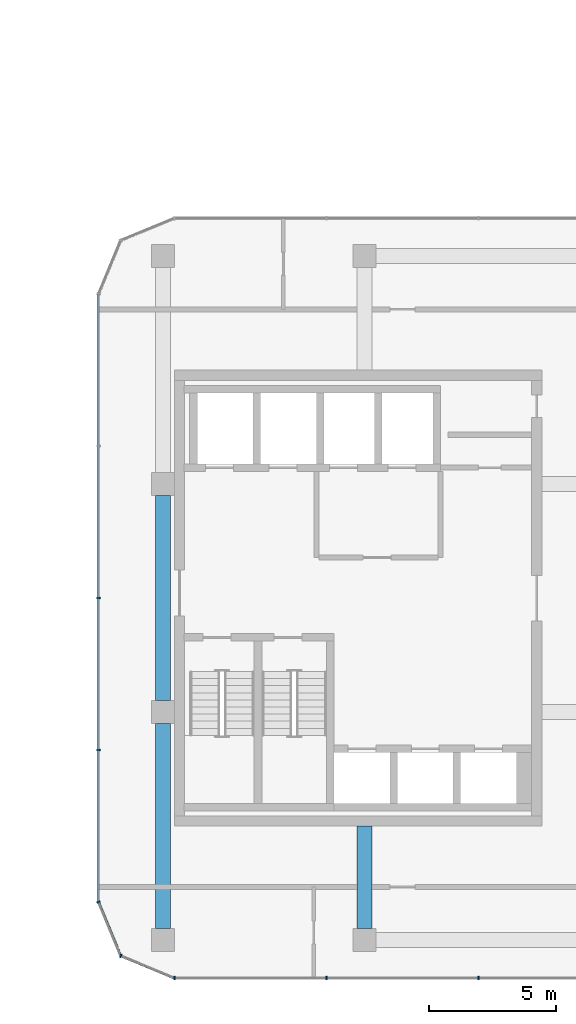
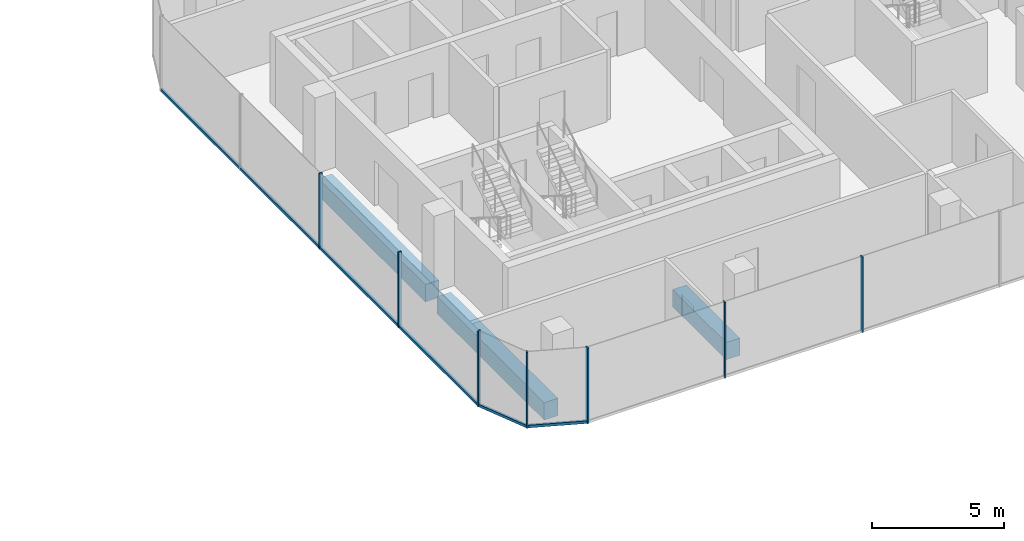
# One storey, part 7 of 22: 10 members, 3 beams, 4 elements without a shape of their own.
"""IFC4 building model written with IfcOpenShell, lengths in metres."""

import ifcopenshell
import ifcopenshell.guid

model = None  # the IFC model being written
_history = None  # IfcOwnerHistory: only IFC2X3 demands one
_inside = {}  # id of a spatial element -> (the spatial element, [elements in it])
_under = {}  # id of a project, library or spatial element -> (it, [spatial elements below it])
_declared = {}  # id of a project -> (the project, [libraries it declares])
_typed = {}  # id of a type object -> (the type object, [elements of that type])
_made_of = {}  # id of a material, layer set ... -> (it, [elements and type objects made of it])


def new_model(schema):
    """Start an empty IFC model of exactly this schema.

    Asked for "IFC4X3", IfcOpenShell would pick the latest addendum, in which some entities
    have other attributes; the version numbers below select the first issue.
    IFC2X3 requires an IfcOwnerHistory on every rooted entity: one is made here for all.
    """
    global model, _history
    if schema == "IFC4X3":
        model = ifcopenshell.file(schema_version=(4, 3, 0, 0))
    else:
        model = ifcopenshell.file(schema=schema)
    _inside.clear()
    _under.clear()
    _declared.clear()
    _typed.clear()
    _made_of.clear()
    _history = None
    if model.schema == "IFC2X3":
        org = make("IfcOrganization", Name="unknown")
        user = make(
            "IfcPersonAndOrganization",
            ThePerson=make("IfcPerson", FamilyName="unknown"),
            TheOrganization=org,
        )
        app = make(
            "IfcApplication",
            ApplicationDeveloper=org,
            Version="unknown",
            ApplicationFullName="unknown",
            ApplicationIdentifier="unknown",
        )
        _history = make(
            "IfcOwnerHistory",
            OwningUser=user,
            OwningApplication=app,
            ChangeAction="ADDED",
            CreationDate=0,
        )
    return model


def make(cls, **values):
    """One entity of the class cls with the attributes given. An attribute that is None is left unset."""
    return model.create_entity(
        cls, **{name: value for name, value in values.items() if value is not None}
    )


def rooted(cls, **values):
    """An entity with a GlobalId (a new one), such as an element, a storey or a relation."""
    return make(cls, GlobalId=ifcopenshell.guid.new(), OwnerHistory=_history, **values)


def si_unit(unit_type, name, prefix=None):
    """IfcSIUnit, for example si_unit("LENGTHUNIT", "METRE", prefix="MILLI")."""
    return make("IfcSIUnit", UnitType=unit_type, Prefix=prefix, Name=name)


def assignment(units):
    """IfcUnitAssignment: the units of a project."""
    return None if units is None else make("IfcUnitAssignment", Units=units)


def point(xyz):
    """IfcCartesianPoint."""
    return None if xyz is None else make("IfcCartesianPoint", Coordinates=xyz)


def direction(xyz):
    """IfcDirection."""
    return None if xyz is None else make("IfcDirection", DirectionRatios=xyz)


def frame(location, z_axis=None, x_axis=None):
    """IfcAxis2Placement3D, a coordinate frame: its origin and axes. An axis left out is left unset."""
    return make(
        "IfcAxis2Placement3D",
        Location=point(location),
        Axis=direction(z_axis),
        RefDirection=direction(x_axis),
    )


def frame_2d(location, x_axis=None):
    """IfcAxis2Placement2D, a coordinate frame in the plane: its origin and x axis."""
    return make(
        "IfcAxis2Placement2D", Location=point(location), RefDirection=direction(x_axis)
    )


def origin():
    """The frame at (0, 0, 0) with its axes left unset."""
    return frame((0.0, 0.0, 0.0))


def origin_2d():
    """The frame at (0, 0) in the plane with its x axis left unset."""
    return frame_2d((0.0, 0.0))


def place(relative_to, where):
    """IfcLocalPlacement: puts the frame where relative to a parent placement (None: the world)."""
    return make(
        "IfcLocalPlacement", PlacementRelTo=relative_to, RelativePlacement=where
    )


def context(
    kind, dimensions, precision=None, world=None, true_north=None, identifier=None
):
    """IfcGeometricRepresentationContext, for example the 3D "Model" context."""
    return make(
        "IfcGeometricRepresentationContext",
        ContextIdentifier=identifier,
        ContextType=kind,
        CoordinateSpaceDimension=dimensions,
        Precision=precision,
        WorldCoordinateSystem=world,
        TrueNorth=true_north,
    )


def subcontext(parent, identifier, kind, view, scale=None):
    """IfcGeometricRepresentationSubContext, for example "Body" below "Model"."""
    return make(
        "IfcGeometricRepresentationSubContext",
        ContextIdentifier=identifier,
        ContextType=kind,
        ParentContext=parent,
        TargetScale=scale,
        TargetView=view,
    )


def project(units=None, contexts=None):
    """IfcProject with its units and contexts."""
    return rooted(
        "IfcProject",
        Name="project",
        RepresentationContexts=contexts,
        UnitsInContext=assignment(units),
    )


def spatial(cls, under=None, at=None, **own):
    """A site, building, storey or space (cls), placed at a placement, below another one or the project."""
    s = rooted(cls, ObjectPlacement=at, **own)
    if under is not None:
        _under.setdefault(under.id(), (under, []))[1].append(s)
    return s


def profile(cls, at=None, kind="AREA", **sizes):
    """A parametric profile (cls). Its sizes go by their IFC names, for example OverallWidth=200.0."""
    return make(cls, ProfileType=kind, Position=at, **sizes)


def rectangle(**sizes):
    """IfcRectangleProfileDef."""
    return profile("IfcRectangleProfileDef", **sizes)


def extrude(swept, where, along, depth):
    """IfcExtrudedAreaSolid: the profile swept, set in the frame where, extruded along a direction by depth."""
    return make(
        "IfcExtrudedAreaSolid",
        SweptArea=swept,
        Position=where,
        ExtrudedDirection=direction(along),
        Depth=depth,
    )


def shape(context_of_items, identifier, shape_type, items):
    """IfcShapeRepresentation: the items that make up one representation, for example the "Body"."""
    return make(
        "IfcShapeRepresentation",
        ContextOfItems=context_of_items,
        RepresentationIdentifier=identifier,
        RepresentationType=shape_type,
        Items=items,
    )


def material(Name=None, Category=None):
    """IfcMaterial."""
    return make("IfcMaterial", Name=Name, Category=Category)


def layer(
    of_material, thickness, ventilated=None, Name=None, Category=None, Priority=None
):
    """IfcMaterialLayer: one layer of a wall or slab, of a material (None: an air gap)."""
    return make(
        "IfcMaterialLayer",
        Material=of_material,
        LayerThickness=thickness,
        IsVentilated=ventilated,
        Name=Name,
        Category=Category,
        Priority=Priority,
    )


def layer_set(layers, Name=None):
    """IfcMaterialLayerSet."""
    return make("IfcMaterialLayerSet", MaterialLayers=layers, LayerSetName=Name)


def material_profile(
    of_material, cross_section, Name=None, Category=None, Priority=None
):
    """IfcMaterialProfile: a cross section and its material."""
    return make(
        "IfcMaterialProfile",
        Name=Name,
        Material=of_material,
        Profile=cross_section,
        Priority=Priority,
        Category=Category,
    )


def profile_set(profiles, Name=None, composite=None):
    """IfcMaterialProfileSet."""
    return make(
        "IfcMaterialProfileSet",
        Name=Name,
        MaterialProfiles=profiles,
        CompositeProfile=composite,
    )


def made_of(thing, what):
    """Note that an element or type object is made of a material, layer set ...; save() writes the relation."""
    if what is not None:
        _made_of.setdefault(what.id(), (what, []))[1].append(thing)
    return thing


def type_object(cls, material=None, **own):
    """A type object (cls), such as IfcWallType, which elements share."""
    return made_of(rooted(cls, **own), material)


def element(
    cls,
    number,
    at=None,
    inside=None,
    cuts=None,
    type_object=None,
    material=None,
    context=None,
    identifier="Body",
    shape_type=None,
    held_by="IfcProductDefinitionShape",
    body=None,
    shapes=None,
    **own,
):
    """One element of the class cls, such as IfcWall. Its Tag is "e" and its number.

    at: its placement. inside: the storey or other place that contains it. cuts: it is an
    opening in that element (IfcRelVoidsElement). A single representation is given by context,
    identifier, shape_type and body (its items); several are given by shapes. held_by: the class
    of the entity that holds the representations. save() writes the other relations.
    """
    e = rooted(cls, Tag="e%d" % number, ObjectPlacement=at, **own)
    if body is not None:
        shapes = [shape(context, identifier, shape_type, body)]
    if shapes is not None:
        e.Representation = make(held_by, Representations=shapes)
    if inside is not None:
        _inside.setdefault(inside.id(), (inside, []))[1].append(e)
    if cuts is not None:
        rooted(
            "IfcRelVoidsElement", RelatingBuildingElement=cuts, RelatedOpeningElement=e
        )
    if type_object is not None:
        _typed.setdefault(type_object.id(), (type_object, []))[1].append(e)
    return made_of(e, material)


def aggregate(whole, parts):
    """IfcRelAggregates: a whole, such as a stair, and the parts it consists of."""
    return rooted("IfcRelAggregates", RelatingObject=whole, RelatedObjects=parts)


def save(model, path):
    """Write the relations noted so far, then the file.

    IfcRelAggregates (storeys below a building ...), IfcRelContainedInSpatialStructure (elements
    in a storey), IfcRelDefinesByType, IfcRelAssociatesMaterial and IfcRelDeclares: one each for
    every whole, place, type object, material and project.
    """
    for whole, parts in _under.values():
        aggregate(whole, parts)
    for where, things in _inside.values():
        rooted(
            "IfcRelContainedInSpatialStructure",
            RelatedElements=things,
            RelatingStructure=where,
        )
    for kind, things in _typed.values():
        rooted("IfcRelDefinesByType", RelatedObjects=things, RelatingType=kind)
    for what, things in _made_of.values():
        rooted("IfcRelAssociatesMaterial", RelatedObjects=things, RelatingMaterial=what)
    for by, libraries in _declared.values():
        rooted("IfcRelDeclares", RelatingContext=by, RelatedDefinitions=libraries)
    model.write(path)


model = new_model("IFC4")

# Units and contexts
model_context = context("Model", 3, precision=1e-05, world=origin(), true_north=direction((0.0, 1.0)))
body_context = subcontext(model_context, "Body", "Model", "MODEL_VIEW")
ifc_project = project(units=[si_unit("LENGTHUNIT", "METRE"), si_unit("AREAUNIT", "SQUARE_METRE"), si_unit("VOLUMEUNIT", "CUBIC_METRE"), si_unit("PLANEANGLEUNIT", "RADIAN"), si_unit("MASSUNIT", "GRAM", prefix="KILO")], contexts=[model_context])

# Site, building, storey
site_placement = place(None, origin())
site = spatial("IfcSite", under=ifc_project, at=site_placement, CompositionType="ELEMENT")
building_placement = place(site_placement, origin())
building = spatial("IfcBuilding", under=site, at=building_placement, Name="Plateau Cross Towers", CompositionType="ELEMENT")
storey_placement = place(building_placement, frame((0.0, 0.0, 109.800048828125)))
storey = spatial("IfcBuildingStorey", under=building, at=storey_placement, Name="L28", CompositionType="ELEMENT", Elevation=109.800048828125)

# Beam
ifc_material_1 = material(Name="Concrete C60/75", Category="concrete")
ifc_material_profile_1 = material_profile(ifc_material_1, rectangle(XDim=0.60009765625, YDim=0.800048828125, at=origin_2d()), Name="RC 600x800")
ifc_profile_set_1 = profile_set([ifc_material_profile_1], Name="Concrete C60/75")
beam_type_1 = type_object("IfcBeamType", Name="Core beam RC 600x800", PredefinedType="BEAM", material=ifc_profile_set_1)
beam_placement = place(storey_placement, frame((82.5, 0.0, -0.650146484375), z_axis=(0.0, -1.0, 0.0), x_axis=(1.0, 0.0, 0.0)))
element("IfcBeam", 1, at=beam_placement, inside=storey, type_object=beam_type_1, Name="B-CB01@L28", PredefinedType="BEAM", context=body_context, shape_type="SweptSolid", body=[
    extrude(rectangle(XDim=0.60009765625, YDim=0.800048828125, at=origin_2d()), origin(), (0.0, 0.0, 1.0), 4.050048828125),
])

# Curtain wall, members
ifc_material_2 = material(Name="Dark low-iron glass", Category="glass")
ifc_layer = layer(ifc_material_2, 0.239990234375)
ifc_layer_set = layer_set([ifc_layer], Name="Dark low-iron glass")
curtain_wall_type = type_object("IfcCurtainWallType", Name="Curtain wall office unitised CW-F", PredefinedType="NOTDEFINED", material=ifc_layer_set)
curtain_wall_1_placement = place(storey_placement, origin())
curtain_wall_1 = element("IfcCurtainWall", 2, at=curtain_wall_1_placement, inside=storey, type_object=curtain_wall_type, Name="ENV/B/L28/B750_-60", PredefinedType="NOTDEFINED")
ifc_material_3 = material(Name="Black anodised aluminium", Category="aluminium")
ifc_material_profile_2 = material_profile(ifc_material_3, rectangle(XDim=0.06005859375, YDim=0.139892578125, at=origin_2d()), Name="MULLION 60x140")
ifc_profile_set_2 = profile_set([ifc_material_profile_2], Name="Black anodised aluminium")
member_type_1 = type_object("IfcMemberType", Name="Mullion 60x140 office unitised", PredefinedType="MULLION", material=ifc_profile_set_2)
member_1_placement = place(storey_placement, frame((75.0, -6.0, -0.25), z_axis=(0.0, 0.0, 1.0), x_axis=(1.0, 0.0, 0.0)))
member_1 = element("IfcMember", 3, at=member_1_placement, type_object=member_type_1, Name="CW-F mullion 1", PredefinedType="MULLION", context=body_context, shape_type="SweptSolid", body=[
    extrude(rectangle(XDim=0.06005859375, YDim=0.139892578125, at=origin_2d()), origin(), (0.0, 0.0, 1.0), 3.5),
])
member_2_placement = place(storey_placement, frame((81.0, -6.0, -0.25), z_axis=(0.0, 0.0, 1.0), x_axis=(1.0, 0.0, 0.0)))
member_2 = element("IfcMember", 4, at=member_2_placement, type_object=member_type_1, Name="CW-F mullion 2", PredefinedType="MULLION", context=body_context, shape_type="SweptSolid", body=[
    extrude(rectangle(XDim=0.06005859375, YDim=0.139892578125, at=origin_2d()), origin(), (0.0, 0.0, 1.0), 3.5),
])
member_3_placement = place(storey_placement, frame((87.0, -6.0, -0.25), z_axis=(0.0, 0.0, 1.0), x_axis=(1.0, 0.0, 0.0)))
member_3 = element("IfcMember", 5, at=member_3_placement, type_object=member_type_1, Name="CW-F mullion 3", PredefinedType="MULLION", context=body_context, shape_type="SweptSolid", body=[
    extrude(rectangle(XDim=0.06005859375, YDim=0.139892578125, at=origin_2d()), origin(), (0.0, 0.0, 1.0), 3.5),
])
aggregate(curtain_wall_1, [member_1, member_2, member_3])

curtain_wall_2_placement = place(storey_placement, origin())
curtain_wall_2 = element("IfcCurtainWall", 6, at=curtain_wall_2_placement, inside=storey, type_object=curtain_wall_type, Name="ENV/B/L28/B720_210", PredefinedType="NOTDEFINED")
member_4_placement = place(storey_placement, frame((72.0, 9.0, -0.25), z_axis=(0.0, 0.0, 1.0), x_axis=(0.0, -1.0, 0.0)))
member_4 = element("IfcMember", 7, at=member_4_placement, type_object=member_type_1, Name="CW-F mullion 3", PredefinedType="MULLION", context=body_context, shape_type="SweptSolid", body=[
    extrude(rectangle(XDim=0.06005859375, YDim=0.139892578125, at=origin_2d()), origin(), (0.0, 0.0, 1.0), 3.5),
])
member_5_placement = place(storey_placement, frame((72.0, 3.0, -0.25), z_axis=(0.0, 0.0, 1.0), x_axis=(0.0, -1.0, 0.0)))
member_5 = element("IfcMember", 8, at=member_5_placement, type_object=member_type_1, Name="CW-F mullion 4", PredefinedType="MULLION", context=body_context, shape_type="SweptSolid", body=[
    extrude(rectangle(XDim=0.06005859375, YDim=0.139892578125, at=origin_2d()), origin(), (0.0, 0.0, 1.0), 3.5),
])

# Curtain wall, member
curtain_wall_3_placement = place(storey_placement, origin())
curtain_wall_3 = element("IfcCurtainWall", 9, at=curtain_wall_3_placement, inside=storey, type_object=curtain_wall_type, Name="ENV/B/L28/B720_-30", PredefinedType="NOTDEFINED")
member_6_placement = place(storey_placement, frame((72.0, -3.0, -0.25), z_axis=(0.0, 0.0, 1.0), x_axis=(0.382683612978, -0.923879457699, 0.0)))
member_6 = element("IfcMember", 10, at=member_6_placement, type_object=member_type_1, Name="CW-F mullion 1", PredefinedType="MULLION", context=body_context, shape_type="SweptSolid", body=[
    extrude(rectangle(XDim=0.06005859375, YDim=0.139892578125, at=origin_2d()), origin(), (0.0, 0.0, 1.0), 3.5),
])

curtain_wall_4_placement = place(storey_placement, origin())
curtain_wall_4 = element("IfcCurtainWall", 11, at=curtain_wall_4_placement, inside=storey, type_object=curtain_wall_type, Name="ENV/B/L28/B729_-51", PredefinedType="NOTDEFINED")
member_7_placement = place(storey_placement, frame((72.878662109375, -5.121337890625, -0.25), z_axis=(0.0, 0.0, 1.0), x_axis=(0.923879457699, -0.382683612978, 0.0)))
member_7 = element("IfcMember", 12, at=member_7_placement, type_object=member_type_1, Name="CW-F mullion 1", PredefinedType="MULLION", context=body_context, shape_type="SweptSolid", body=[
    extrude(rectangle(XDim=0.06005859375, YDim=0.139892578125, at=origin_2d()), origin(), (0.0, 0.0, 1.0), 3.5),
])

# Beams
ifc_material_profile_3 = material_profile(ifc_material_1, rectangle(XDim=0.60009765625, YDim=0.800048828125, at=origin_2d()), Name="RC 600x800")
ifc_profile_set_3 = profile_set([ifc_material_profile_3], Name="Concrete C60/75")
beam_type_2 = type_object("IfcBeamType", Name="Ring beam RC 600x800", PredefinedType="BEAM", material=ifc_profile_set_3)
for number, where, z_axis, x_axis, name in (
    (13, (74.550048828125, 13.050048828125, -0.650146484375), (0.0, -1.0, 0.0), (1.0, 0.0, 0.0), "B-RB09@L28"),
    (14, (74.550048828125, 4.050048828125, -0.650146484375), (0.0, -1.0, 0.0), (1.0, 0.0, 0.0), "B-RB10@L28"),
):
    element("IfcBeam", number, at=place(storey_placement, frame(where, z_axis=z_axis, x_axis=x_axis)), inside=storey, type_object=beam_type_2, Name=name, PredefinedType="BEAM", context=body_context, shape_type="SweptSolid", body=[
        extrude(rectangle(XDim=0.60009765625, YDim=0.800048828125, at=origin_2d()), origin(), (0.0, 0.0, 1.0), 8.10009765625),
    ])

# Member
ifc_material_profile_4 = material_profile(ifc_material_3, rectangle(XDim=0.10009765625, YDim=0.1201171875, at=origin_2d()), Name="TRANSOM 100x120")
ifc_profile_set_4 = profile_set([ifc_material_profile_4], Name="Black anodised aluminium")
member_type_2 = type_object("IfcMemberType", Name="Transom 100x120 office unitised", PredefinedType="USERDEFINED", material=ifc_profile_set_4)
member_8_placement = place(storey_placement, frame((72.0, 21.0, -0.18994140625), z_axis=(0.0, -1.0, 0.0), x_axis=(1.0, 0.0, 0.0)))
member_8 = element("IfcMember", 15, at=member_8_placement, type_object=member_type_2, Name="CW-F transom", ObjectType="TRANSOM", PredefinedType="USERDEFINED", context=body_context, shape_type="SweptSolid", body=[
    extrude(rectangle(XDim=0.10009765625, YDim=0.1201171875, at=origin_2d()), origin(), (0.0, 0.0, 1.0), 24.0),
])

aggregate(curtain_wall_2, [member_4, member_5, member_8])

member_9_placement = place(storey_placement, frame((72.0, -3.0, -0.18994140625), z_axis=(0.382674207535, -0.923883353507, 0.0), x_axis=(0.923883353507, 0.382674207535, 0.0)))
member_9 = element("IfcMember", 16, at=member_9_placement, type_object=member_type_2, Name="CW-F transom", ObjectType="TRANSOM", PredefinedType="USERDEFINED", context=body_context, shape_type="SweptSolid", body=[
    extrude(rectangle(XDim=0.10009765625, YDim=0.1201171875, at=origin_2d()), origin(), (0.0, 0.0, 1.0), 2.296142578125),
])

aggregate(curtain_wall_3, [member_6, member_9])

member_10_placement = place(storey_placement, frame((72.878662109375, -5.121337890625, -0.18994140625), z_axis=(0.923883353507, -0.382674207535, 0.0), x_axis=(0.382674207535, 0.923883353507, 0.0)))
member_10 = element("IfcMember", 17, at=member_10_placement, type_object=member_type_2, Name="CW-F transom", ObjectType="TRANSOM", PredefinedType="USERDEFINED", context=body_context, shape_type="SweptSolid", body=[
    extrude(rectangle(XDim=0.10009765625, YDim=0.1201171875, at=origin_2d()), origin(), (0.0, 0.0, 1.0), 2.296142578125),
])

aggregate(curtain_wall_4, [member_7, member_10])

save(model, "model.ifc")
